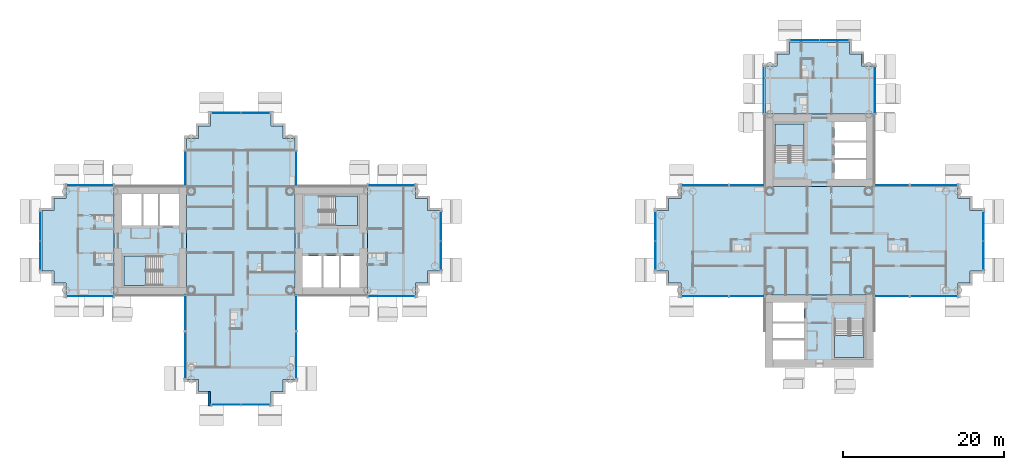
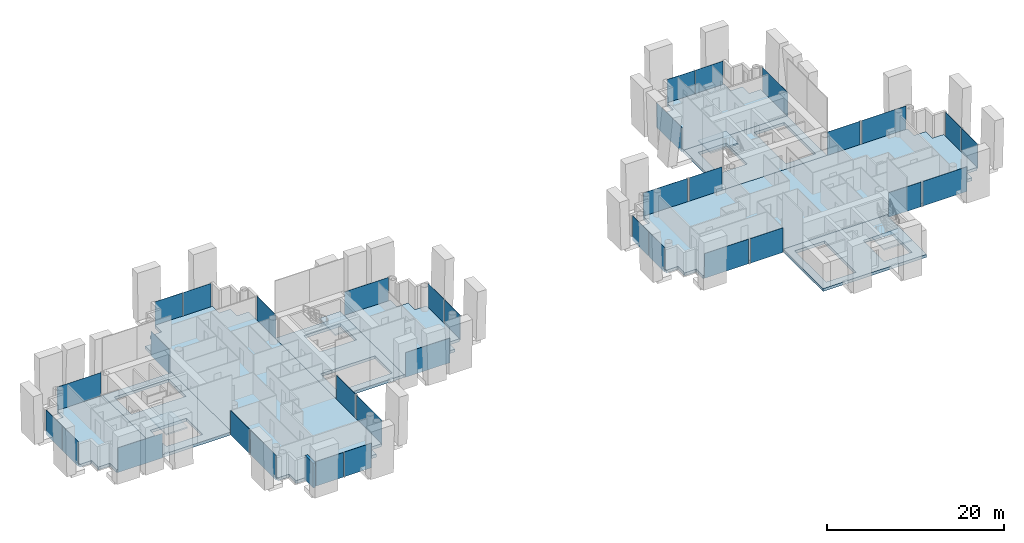
# One storey, part 7 of 20: 34 plates, 13 slabs, 1 wall, 31 elements without a shape of their own.
"""IFC4 building model written with IfcOpenShell, lengths in metres."""

from ifc_helpers import new_model, si_unit, direction, frame, frame_2d, origin, origin_2d, place, context, subcontext, project, spatial, polyline, rectangle, outline, extrude, material, layer, layer_set, type_object, element, aggregate, save


model = new_model("IFC4")

# Units and contexts
model_context = context("Model", 3, precision=1e-05, world=origin(), true_north=direction((0.0, 1.0)))
body_context = subcontext(model_context, "Body", "Model", "MODEL_VIEW")
ifc_project = project(units=[si_unit("LENGTHUNIT", "METRE"), si_unit("AREAUNIT", "SQUARE_METRE"), si_unit("VOLUMEUNIT", "CUBIC_METRE"), si_unit("PLANEANGLEUNIT", "RADIAN"), si_unit("MASSUNIT", "GRAM", prefix="KILO")], contexts=[model_context])

# Site, building, storey
site_placement = place(None, origin())
site = spatial("IfcSite", under=ifc_project, at=site_placement, CompositionType="ELEMENT")
building_placement = place(site_placement, origin())
building = spatial("IfcBuilding", under=site, at=building_placement, Name="Ipe Terrace Towers", CompositionType="ELEMENT")
storey_placement = place(building_placement, frame((0.0, 0.0, 120.800048828125)))
storey = spatial("IfcBuildingStorey", under=building, at=storey_placement, Name="L33", CompositionType="ELEMENT", Elevation=120.800048828125)

# Slabs
ifc_material_1 = material(Name="Concrete C30/37", Category="concrete")
ifc_layer_1 = layer(ifc_material_1, 0.39990234375)
ifc_layer_set_1 = layer_set([ifc_layer_1], Name="CORE FLOOR SLAB 400 C30-37")
slab_type_1 = type_object("IfcSlabType", Name="CORE FLOOR SLAB 400 C30-37", PredefinedType="FLOOR", material=ifc_layer_set_1)
slab_1_placement = place(storey_placement, frame((0.0, 0.0, -0.400146484375)))
element("IfcSlab", 1, at=slab_1_placement, inside=storey, type_object=slab_type_1, Name="Core floor T1-C1", PredefinedType="FLOOR", context=body_context, shape_type="SweptSolid", body=[
    extrude(outline(polyline([(-29.25, -6.75), (-29.25, 6.75), (-20.25, 6.75), (-20.25, -6.75), (-29.25, -6.75)]), holes=[polyline([(-28.300048828125, -5.800048828125), (-21.199951171875, -5.800048828125), (-21.199951171875, -1.89990234375), (-28.300048828125, -1.89990234375), (-28.300048828125, -5.800048828125)]), polyline([(-26.199951171875, 5.550048828125), (-26.199951171875, 1.89990234375), (-21.449951171875, 1.89990234375), (-21.449951171875, 5.550048828125), (-26.199951171875, 5.550048828125)])]), origin(), (0.0, 0.0, 1.0), 0.400146484375),
])
slab_2_placement = place(storey_placement, frame((0.0, 0.0, -0.400146484375)))
element("IfcSlab", 2, at=slab_2_placement, inside=storey, type_object=slab_type_1, Name="Core floor T1-C2", PredefinedType="FLOOR", context=body_context, shape_type="SweptSolid", body=[
    extrude(outline(polyline([(-51.75, -6.75), (-51.75, 6.75), (-42.75, 6.75), (-42.75, -6.75), (-51.75, -6.75)]), holes=[polyline([(-45.800048828125, -5.550048828125), (-45.800048828125, -1.89990234375), (-50.550048828125, -1.89990234375), (-50.550048828125, -5.550048828125), (-45.800048828125, -5.550048828125)]), polyline([(-50.800048828125, 1.89990234375), (-43.699951171875, 1.89990234375), (-43.699951171875, 5.800048828125), (-50.800048828125, 5.800048828125), (-50.800048828125, 1.89990234375)])]), origin(), (0.0, 0.0, 1.0), 0.400146484375),
])
slab_3_placement = place(storey_placement, frame((0.0, 0.0, -0.400146484375)))
element("IfcSlab", 3, at=slab_3_placement, inside=storey, type_object=slab_type_1, Name="Core floor T2-C1", PredefinedType="FLOOR", context=body_context, shape_type="SweptSolid", body=[
    extrude(outline(polyline([(29.25, 6.75), (29.25, 15.75), (42.75, 15.75), (42.75, 6.75), (29.25, 6.75)]), holes=[polyline([(41.800048828125, 7.699951171875), (41.800048828125, 14.800048828125), (37.89990234375, 14.800048828125), (37.89990234375, 7.699951171875), (41.800048828125, 7.699951171875)]), polyline([(30.449951171875, 9.800048828125), (34.10009765625, 9.800048828125), (34.10009765625, 14.550048828125), (30.449951171875, 14.550048828125), (30.449951171875, 9.800048828125)])]), origin(), (0.0, 0.0, 1.0), 0.400146484375),
])
slab_4_placement = place(storey_placement, frame((0.0, 0.0, -0.400146484375)))
element("IfcSlab", 4, at=slab_4_placement, inside=storey, type_object=slab_type_1, Name="Core floor T2-C2", PredefinedType="FLOOR", context=body_context, shape_type="SweptSolid", body=[
    extrude(outline(polyline([(29.25, -15.75), (29.25, -6.75), (42.75, -6.75), (42.75, -15.75), (29.25, -15.75)]), holes=[polyline([(34.10009765625, -14.800048828125), (34.10009765625, -7.699951171875), (30.199951171875, -7.699951171875), (30.199951171875, -14.800048828125), (34.10009765625, -14.800048828125)]), polyline([(41.550048828125, -9.800048828125), (37.89990234375, -9.800048828125), (37.89990234375, -14.550048828125), (41.550048828125, -14.550048828125), (41.550048828125, -9.800048828125)])]), origin(), (0.0, 0.0, 1.0), 0.400146484375),
])

# Stair, slab
ifc_material_2 = material(Name="Concrete C30/37", Category="concrete")
stair_type = type_object("IfcStairType", Name="Protected exit stair", PredefinedType="HALF_TURN_STAIR", material=ifc_material_2)
stair_1_placement = place(storey_placement, origin())
stair_1 = element("IfcStair", 5, at=stair_1_placement, inside=storey, type_object=stair_type, Name="L33 Exit stair T1-C1", PredefinedType="HALF_TURN_STAIR")
ifc_material_3 = material(Name="Concrete C30/37", Category="concrete")
ifc_layer_2 = layer(ifc_material_3, 0.199951171875)
ifc_layer_set_2 = layer_set([ifc_layer_2], Name="Exit stair landing 200")
slab_type_2 = type_object("IfcSlabType", Name="Exit stair landing 200", PredefinedType="LANDING", material=ifc_layer_set_2)
slab_5_placement = place(storey_placement, frame((0.0, 0.0, 1.5)))
slab_5 = element("IfcSlab", 6, at=slab_5_placement, type_object=slab_type_2, Name="T1-ST1 landing 1", PredefinedType="LANDING", context=body_context, shape_type="SweptSolid", body=[
    extrude(outline(polyline([(-24.219970703125, 1.89990234375), (-21.449951171875, 1.89990234375), (-21.449951171875, 5.550048828125), (-24.219970703125, 5.550048828125), (-24.219970703125, 1.89990234375)])), origin(), (0.0, 0.0, 1.0), 0.199951171875),
])
aggregate(stair_1, [slab_5])

stair_2_placement = place(storey_placement, origin())
stair_2 = element("IfcStair", 7, at=stair_2_placement, inside=storey, type_object=stair_type, Name="L33 Exit stair T1-C2", PredefinedType="HALF_TURN_STAIR")
slab_6_placement = place(storey_placement, frame((0.0, 0.0, 1.5)))
slab_6 = element("IfcSlab", 8, at=slab_6_placement, type_object=slab_type_2, Name="T1-ST2 landing 1", PredefinedType="LANDING", context=body_context, shape_type="SweptSolid", body=[
    extrude(outline(polyline([(-47.780029296875, -1.89990234375), (-50.550048828125, -1.89990234375), (-50.550048828125, -5.550048828125), (-47.780029296875, -5.550048828125), (-47.780029296875, -1.89990234375)])), origin(), (0.0, 0.0, 1.0), 0.199951171875),
])
aggregate(stair_2, [slab_6])

stair_3_placement = place(storey_placement, origin())
stair_3 = element("IfcStair", 9, at=stair_3_placement, inside=storey, type_object=stair_type, Name="L33 Exit stair T2-C1", PredefinedType="HALF_TURN_STAIR")
slab_7_placement = place(storey_placement, frame((0.0, 0.0, 1.5)))
slab_7 = element("IfcSlab", 10, at=slab_7_placement, type_object=slab_type_2, Name="T2-ST1 landing 1", PredefinedType="LANDING", context=body_context, shape_type="SweptSolid", body=[
    extrude(outline(polyline([(34.10009765625, 11.780029296875), (34.10009765625, 14.550048828125), (30.449951171875, 14.550048828125), (30.449951171875, 11.780029296875), (34.10009765625, 11.780029296875)])), origin(), (0.0, 0.0, 1.0), 0.199951171875),
])
aggregate(stair_3, [slab_7])

stair_4_placement = place(storey_placement, origin())
stair_4 = element("IfcStair", 11, at=stair_4_placement, inside=storey, type_object=stair_type, Name="L33 Exit stair T2-C2", PredefinedType="HALF_TURN_STAIR")
slab_8_placement = place(storey_placement, frame((0.0, 0.0, 1.5)))
slab_8 = element("IfcSlab", 12, at=slab_8_placement, type_object=slab_type_2, Name="T2-ST2 landing 1", PredefinedType="LANDING", context=body_context, shape_type="SweptSolid", body=[
    extrude(outline(polyline([(37.89990234375, -11.780029296875), (37.89990234375, -14.550048828125), (41.550048828125, -14.550048828125), (41.550048828125, -11.780029296875), (37.89990234375, -11.780029296875)])), origin(), (0.0, 0.0, 1.0), 0.199951171875),
])
aggregate(stair_4, [slab_8])

# Slabs
ifc_material_4 = material(Name="Concrete C40/50", Category="concrete")
ifc_layer_3 = layer(ifc_material_4, 0.39990234375)
ifc_layer_set_3 = layer_set([ifc_layer_3], Name="FLAT PLATE SLAB 400 C40-50")
slab_type_3 = type_object("IfcSlabType", Name="FLAT PLATE SLAB 400 C40-50", PredefinedType="FLOOR", material=ifc_layer_set_3)
slab_9_placement = place(storey_placement, frame((0.0, 0.0, -0.400146484375)))
element("IfcSlab", 13, at=slab_9_placement, inside=storey, type_object=slab_type_3, Name="Slab T1-FS-Z21", PredefinedType="FLOOR", context=body_context, shape_type="SweptSolid", body=[
    extrude(outline(polyline([(-30.75, -17.25), (-30.75, -18.75), (-32.25, -18.75), (-32.25, -20.25), (-39.75, -20.25), (-39.75, -18.75), (-41.25, -18.75), (-41.25, -17.25), (-42.75, -17.25), (-42.75, -6.75), (-42.75, 6.75), (-42.75, 12.75), (-41.25, 12.75), (-41.25, 14.25), (-39.75, 14.25), (-39.75, 15.75), (-32.25, 15.75), (-32.25, 14.25), (-30.75, 14.25), (-30.75, 12.75), (-29.25, 12.75), (-29.25, 6.75), (-29.25, -6.75), (-29.25, -17.25), (-30.75, -17.25)])), origin(), (0.0, 0.0, 1.0), 0.400146484375),
])
slab_10_placement = place(storey_placement, frame((0.0, 0.0, -0.400146484375)))
element("IfcSlab", 14, at=slab_10_placement, inside=storey, type_object=slab_type_3, Name="Slab T1-FS-Z22", PredefinedType="FLOOR", context=body_context, shape_type="SweptSolid", body=[
    extrude(outline(polyline([(-57.75, -6.75), (-57.75, -5.25), (-59.25, -5.25), (-59.25, -3.75), (-60.75, -3.75), (-60.75, 3.75), (-59.25, 3.75), (-59.25, 5.25), (-57.75, 5.25), (-57.75, 6.75), (-51.75, 6.75), (-51.75, -6.75), (-57.75, -6.75)])), origin(), (0.0, 0.0, 1.0), 0.400146484375),
])
slab_11_placement = place(storey_placement, frame((0.0, 0.0, -0.400146484375)))
element("IfcSlab", 15, at=slab_11_placement, inside=storey, type_object=slab_type_3, Name="Slab T1-FS-Z23", PredefinedType="FLOOR", context=body_context, shape_type="SweptSolid", body=[
    extrude(outline(polyline([(-14.25, 5.25), (-12.75, 5.25), (-12.75, 3.75), (-11.25, 3.75), (-11.25, -3.75), (-12.75, -3.75), (-12.75, -5.25), (-14.25, -5.25), (-14.25, -6.75), (-20.25, -6.75), (-20.25, 6.75), (-14.25, 6.75), (-14.25, 5.25)])), origin(), (0.0, 0.0, 1.0), 0.400146484375),
])
slab_12_placement = place(storey_placement, frame((0.0, 0.0, -0.400146484375)))
element("IfcSlab", 16, at=slab_12_placement, inside=storey, type_object=slab_type_3, Name="Slab T2-FS-Z21", PredefinedType="FLOOR", context=body_context, shape_type="SweptSolid", body=[
    extrude(outline(polyline([(53.25, 5.25), (54.75, 5.25), (54.75, 3.75), (56.25, 3.75), (56.25, -3.75), (54.75, -3.75), (54.75, -5.25), (53.25, -5.25), (53.25, -6.75), (42.75, -6.75), (29.25, -6.75), (18.75, -6.75), (18.75, -5.25), (17.25, -5.25), (17.25, -3.75), (15.75, -3.75), (15.75, 3.75), (17.25, 3.75), (17.25, 5.25), (18.75, 5.25), (18.75, 6.75), (29.25, 6.75), (42.75, 6.75), (53.25, 6.75), (53.25, 5.25)])), origin(), (0.0, 0.0, 1.0), 0.400146484375),
])
slab_13_placement = place(storey_placement, frame((0.0, 0.0, -0.400146484375)))
element("IfcSlab", 17, at=slab_13_placement, inside=storey, type_object=slab_type_3, Name="Slab T2-FS-Z22", PredefinedType="FLOOR", context=body_context, shape_type="SweptSolid", body=[
    extrude(outline(polyline([(30.75, 21.75), (30.75, 23.25), (32.25, 23.25), (32.25, 24.75), (39.75, 24.75), (39.75, 23.25), (41.25, 23.25), (41.25, 21.75), (42.75, 21.75), (42.75, 15.75), (29.25, 15.75), (29.25, 21.75), (30.75, 21.75)])), origin(), (0.0, 0.0, 1.0), 0.400146484375),
])

# Curtain wall, plate
ifc_material_5 = material(Name="Aluminium alloy 6063-T6", Category="aluminium")
ifc_layer_4 = layer(ifc_material_5, 0.320068359375)
ifc_layer_set_4 = layer_set([ifc_layer_4], Name="TOWER UNITISED CURTAIN WALL")
curtain_wall_type = type_object("IfcCurtainWallType", Name="TOWER UNITISED CURTAIN WALL", PredefinedType="NOTDEFINED", material=ifc_layer_set_4)
curtain_wall_1_placement = place(storey_placement, origin())
curtain_wall_1 = element("IfcCurtainWall", 18, at=curtain_wall_1_placement, inside=storey, type_object=curtain_wall_type, Name="T1-CW-L33-04a curtain wall", PredefinedType="NOTDEFINED")
ifc_material_6 = material(Name="Glass, clear laminated", Category="glass")
ifc_layer_5 = layer(ifc_material_6, 0.031982421875)
ifc_layer_set_5 = layer_set([ifc_layer_5], Name="TOWER UNITISED GLASS PANEL 32")
plate_type = type_object("IfcPlateType", Name="TOWER UNITISED GLASS PANEL 32", PredefinedType="CURTAIN_PANEL", material=ifc_layer_set_5)
plate_1_placement = place(storey_placement, frame((-54.75048828125, -6.909912109375, -0.300048828125), z_axis=(0.0, 0.0, 1.0), x_axis=(1.0, 0.0, 0.0)))
plate_1 = element("IfcPlate", 19, at=plate_1_placement, type_object=plate_type, Name="T1-CW-L33-04a panel 1", PredefinedType="CURTAIN_PANEL", context=body_context, shape_type="SweptSolid", body=[
    extrude(rectangle(XDim=5.759033203125, YDim=0.031982421875, at=origin_2d()), origin(), (0.0, 0.0, 1.0), 3.39990234375),
])
aggregate(curtain_wall_1, [plate_1])

curtain_wall_2_placement = place(storey_placement, origin())
curtain_wall_2 = element("IfcCurtainWall", 20, at=curtain_wall_2_placement, inside=storey, type_object=curtain_wall_type, Name="T1-CW-L33-06a curtain wall", PredefinedType="NOTDEFINED")
plate_2_placement = place(storey_placement, frame((-42.909912109375, -9.0, -0.300048828125), z_axis=(0.0, 0.0, 1.0), x_axis=(0.0, -1.0, 0.0)))
plate_2 = element("IfcPlate", 21, at=plate_2_placement, type_object=plate_type, Name="T1-CW-L33-06a panel 1", PredefinedType="CURTAIN_PANEL", context=body_context, shape_type="SweptSolid", body=[
    extrude(rectangle(XDim=4.260009765625, YDim=0.031982421875, at=origin_2d()), origin(), (0.0, 0.0, 1.0), 3.39990234375),
])
aggregate(curtain_wall_2, [plate_2])

curtain_wall_3_placement = place(storey_placement, origin())
curtain_wall_3 = element("IfcCurtainWall", 22, at=curtain_wall_3_placement, inside=storey, type_object=curtain_wall_type, Name="T1-CW-L33-07a curtain wall", PredefinedType="NOTDEFINED")
plate_3_placement = place(storey_placement, frame((-42.909912109375, -14.25, -0.300048828125), z_axis=(0.0, 0.0, 1.0), x_axis=(0.0, -1.0, 0.0)))
plate_3 = element("IfcPlate", 23, at=plate_3_placement, type_object=plate_type, Name="T1-CW-L33-07a panel 1", PredefinedType="CURTAIN_PANEL", context=body_context, shape_type="SweptSolid", body=[
    extrude(rectangle(XDim=5.760009765625, YDim=0.031982421875, at=origin_2d()), origin(), (0.0, 0.0, 1.0), 3.39990234375),
])
aggregate(curtain_wall_3, [plate_3])

# Curtain wall, plates
curtain_wall_4_placement = place(storey_placement, origin())
curtain_wall_4 = element("IfcCurtainWall", 24, at=curtain_wall_4_placement, inside=storey, type_object=curtain_wall_type, Name="T1-CW-L33-12a curtain wall", PredefinedType="NOTDEFINED")
plate_4_placement = place(storey_placement, frame((-37.831298828125, -20.409912109375, -0.300048828125), z_axis=(0.0, 0.0, 1.0), x_axis=(1.0, 0.0, 0.0)))
plate_4 = element("IfcPlate", 25, at=plate_4_placement, type_object=plate_type, Name="T1-CW-L33-12a panel 1", PredefinedType="CURTAIN_PANEL", context=body_context, shape_type="SweptSolid", body=[
    extrude(rectangle(XDim=3.597412109375, YDim=0.031982421875, at=origin_2d()), origin(), (0.0, 0.0, 1.0), 3.39990234375),
])
plate_5_placement = place(storey_placement, frame((-34.168701171875, -20.409912109375, -0.300048828125), z_axis=(0.0, 0.0, 1.0), x_axis=(1.0, 0.0, 0.0)))
plate_5 = element("IfcPlate", 26, at=plate_5_placement, type_object=plate_type, Name="T1-CW-L33-12a panel 2", PredefinedType="CURTAIN_PANEL", context=body_context, shape_type="SweptSolid", body=[
    extrude(rectangle(XDim=3.597412109375, YDim=0.031982421875, at=origin_2d()), origin(), (0.0, 0.0, 1.0), 3.39990234375),
])
aggregate(curtain_wall_4, [plate_4, plate_5])

# Curtain wall, plate
curtain_wall_5_placement = place(storey_placement, origin())
curtain_wall_5 = element("IfcCurtainWall", 27, at=curtain_wall_5_placement, inside=storey, type_object=curtain_wall_type, Name="T1-CW-L33-17a curtain wall", PredefinedType="NOTDEFINED")
plate_6_placement = place(storey_placement, frame((-29.090087890625, -14.25, -0.300048828125), z_axis=(0.0, 0.0, 1.0), x_axis=(0.0, 1.0, 0.0)))
plate_6 = element("IfcPlate", 28, at=plate_6_placement, type_object=plate_type, Name="T1-CW-L33-17a panel 1", PredefinedType="CURTAIN_PANEL", context=body_context, shape_type="SweptSolid", body=[
    extrude(rectangle(XDim=5.760009765625, YDim=0.031982421875, at=origin_2d()), origin(), (0.0, 0.0, 1.0), 3.39990234375),
])
aggregate(curtain_wall_5, [plate_6])

curtain_wall_6_placement = place(storey_placement, origin())
curtain_wall_6 = element("IfcCurtainWall", 29, at=curtain_wall_6_placement, inside=storey, type_object=curtain_wall_type, Name="T1-CW-L33-18a curtain wall", PredefinedType="NOTDEFINED")
plate_7_placement = place(storey_placement, frame((-29.090087890625, -9.0, -0.300048828125), z_axis=(0.0, 0.0, 1.0), x_axis=(0.0, 1.0, 0.0)))
plate_7 = element("IfcPlate", 30, at=plate_7_placement, type_object=plate_type, Name="T1-CW-L33-18a panel 1", PredefinedType="CURTAIN_PANEL", context=body_context, shape_type="SweptSolid", body=[
    extrude(rectangle(XDim=4.260009765625, YDim=0.031982421875, at=origin_2d()), origin(), (0.0, 0.0, 1.0), 3.39990234375),
])
aggregate(curtain_wall_6, [plate_7])

curtain_wall_7_placement = place(storey_placement, origin())
curtain_wall_7 = element("IfcCurtainWall", 31, at=curtain_wall_7_placement, inside=storey, type_object=curtain_wall_type, Name="T1-CW-L33-20b curtain wall", PredefinedType="NOTDEFINED")
plate_8_placement = place(storey_placement, frame((-17.24951171875, -6.909912109375, -0.300048828125), z_axis=(0.0, 0.0, 1.0), x_axis=(1.0, 0.0, 0.0)))
plate_8 = element("IfcPlate", 32, at=plate_8_placement, type_object=plate_type, Name="T1-CW-L33-20b panel 1", PredefinedType="CURTAIN_PANEL", context=body_context, shape_type="SweptSolid", body=[
    extrude(rectangle(XDim=5.759033203125, YDim=0.031982421875, at=origin_2d()), origin(), (0.0, 0.0, 1.0), 3.39990234375),
])
aggregate(curtain_wall_7, [plate_8])

# Curtain wall, plates
curtain_wall_8_placement = place(storey_placement, origin())
curtain_wall_8 = element("IfcCurtainWall", 33, at=curtain_wall_8_placement, inside=storey, type_object=curtain_wall_type, Name="T1-CW-L33-25a curtain wall", PredefinedType="NOTDEFINED")
plate_9_placement = place(storey_placement, frame((-11.090087890625, -1.831298828125, -0.300048828125), z_axis=(0.0, 0.0, 1.0), x_axis=(0.0, 1.0, 0.0)))
plate_9 = element("IfcPlate", 34, at=plate_9_placement, type_object=plate_type, Name="T1-CW-L33-25a panel 1", PredefinedType="CURTAIN_PANEL", context=body_context, shape_type="SweptSolid", body=[
    extrude(rectangle(XDim=3.597412109375, YDim=0.031982421875, at=origin_2d()), origin(), (0.0, 0.0, 1.0), 3.39990234375),
])
plate_10_placement = place(storey_placement, frame((-11.090087890625, 1.831298828125, -0.300048828125), z_axis=(0.0, 0.0, 1.0), x_axis=(0.0, 1.0, 0.0)))
plate_10 = element("IfcPlate", 35, at=plate_10_placement, type_object=plate_type, Name="T1-CW-L33-25a panel 2", PredefinedType="CURTAIN_PANEL", context=body_context, shape_type="SweptSolid", body=[
    extrude(rectangle(XDim=3.597412109375, YDim=0.031982421875, at=origin_2d()), origin(), (0.0, 0.0, 1.0), 3.39990234375),
])
aggregate(curtain_wall_8, [plate_9, plate_10])

# Curtain wall, plate
curtain_wall_9_placement = place(storey_placement, origin())
curtain_wall_9 = element("IfcCurtainWall", 36, at=curtain_wall_9_placement, inside=storey, type_object=curtain_wall_type, Name="T1-CW-L33-30a curtain wall", PredefinedType="NOTDEFINED")
plate_11_placement = place(storey_placement, frame((-17.24951171875, 6.909912109375, -0.300048828125), z_axis=(0.0, 0.0, 1.0), x_axis=(-1.0, 0.0, 0.0)))
plate_11 = element("IfcPlate", 37, at=plate_11_placement, type_object=plate_type, Name="T1-CW-L33-30a panel 1", PredefinedType="CURTAIN_PANEL", context=body_context, shape_type="SweptSolid", body=[
    extrude(rectangle(XDim=5.759033203125, YDim=0.031982421875, at=origin_2d()), origin(), (0.0, 0.0, 1.0), 3.39990234375),
])
aggregate(curtain_wall_9, [plate_11])

curtain_wall_10_placement = place(storey_placement, origin())
curtain_wall_10 = element("IfcCurtainWall", 38, at=curtain_wall_10_placement, inside=storey, type_object=curtain_wall_type, Name="T1-CW-L33-32a curtain wall", PredefinedType="NOTDEFINED")
plate_12_placement = place(storey_placement, frame((-29.090087890625, 9.0, -0.300048828125), z_axis=(0.0, 0.0, 1.0), x_axis=(0.0, 1.0, 0.0)))
plate_12 = element("IfcPlate", 39, at=plate_12_placement, type_object=plate_type, Name="T1-CW-L33-32a panel 1", PredefinedType="CURTAIN_PANEL", context=body_context, shape_type="SweptSolid", body=[
    extrude(rectangle(XDim=4.260009765625, YDim=0.031982421875, at=origin_2d()), origin(), (0.0, 0.0, 1.0), 3.39990234375),
])
aggregate(curtain_wall_10, [plate_12])

# Curtain wall, plates
curtain_wall_11_placement = place(storey_placement, origin())
curtain_wall_11 = element("IfcCurtainWall", 40, at=curtain_wall_11_placement, inside=storey, type_object=curtain_wall_type, Name="T1-CW-L33-38a curtain wall", PredefinedType="NOTDEFINED")
plate_13_placement = place(storey_placement, frame((-34.168701171875, 15.909912109375, -0.300048828125), z_axis=(0.0, 0.0, 1.0), x_axis=(-1.0, 0.0, 0.0)))
plate_13 = element("IfcPlate", 41, at=plate_13_placement, type_object=plate_type, Name="T1-CW-L33-38a panel 1", PredefinedType="CURTAIN_PANEL", context=body_context, shape_type="SweptSolid", body=[
    extrude(rectangle(XDim=3.597412109375, YDim=0.031982421875, at=origin_2d()), origin(), (0.0, 0.0, 1.0), 3.39990234375),
])
plate_14_placement = place(storey_placement, frame((-37.831298828125, 15.909912109375, -0.300048828125), z_axis=(0.0, 0.0, 1.0), x_axis=(-1.0, 0.0, 0.0)))
plate_14 = element("IfcPlate", 42, at=plate_14_placement, type_object=plate_type, Name="T1-CW-L33-38a panel 2", PredefinedType="CURTAIN_PANEL", context=body_context, shape_type="SweptSolid", body=[
    extrude(rectangle(XDim=3.597412109375, YDim=0.031982421875, at=origin_2d()), origin(), (0.0, 0.0, 1.0), 3.39990234375),
])
aggregate(curtain_wall_11, [plate_13, plate_14])

# Curtain wall, plate
curtain_wall_12_placement = place(storey_placement, origin())
curtain_wall_12 = element("IfcCurtainWall", 43, at=curtain_wall_12_placement, inside=storey, type_object=curtain_wall_type, Name="T1-CW-L33-44a curtain wall", PredefinedType="NOTDEFINED")
plate_15_placement = place(storey_placement, frame((-42.909912109375, 9.0, -0.300048828125), z_axis=(0.0, 0.0, 1.0), x_axis=(0.0, -1.0, 0.0)))
plate_15 = element("IfcPlate", 44, at=plate_15_placement, type_object=plate_type, Name="T1-CW-L33-44a panel 1", PredefinedType="CURTAIN_PANEL", context=body_context, shape_type="SweptSolid", body=[
    extrude(rectangle(XDim=4.260009765625, YDim=0.031982421875, at=origin_2d()), origin(), (0.0, 0.0, 1.0), 3.39990234375),
])
aggregate(curtain_wall_12, [plate_15])

curtain_wall_13_placement = place(storey_placement, origin())
curtain_wall_13 = element("IfcCurtainWall", 45, at=curtain_wall_13_placement, inside=storey, type_object=curtain_wall_type, Name="T1-CW-L33-46b curtain wall", PredefinedType="NOTDEFINED")
plate_16_placement = place(storey_placement, frame((-54.75048828125, 6.909912109375, -0.300048828125), z_axis=(0.0, 0.0, 1.0), x_axis=(-1.0, 0.0, 0.0)))
plate_16 = element("IfcPlate", 46, at=plate_16_placement, type_object=plate_type, Name="T1-CW-L33-46b panel 1", PredefinedType="CURTAIN_PANEL", context=body_context, shape_type="SweptSolid", body=[
    extrude(rectangle(XDim=5.759033203125, YDim=0.031982421875, at=origin_2d()), origin(), (0.0, 0.0, 1.0), 3.39990234375),
])
aggregate(curtain_wall_13, [plate_16])

# Curtain wall, plates
curtain_wall_14_placement = place(storey_placement, origin())
curtain_wall_14 = element("IfcCurtainWall", 47, at=curtain_wall_14_placement, inside=storey, type_object=curtain_wall_type, Name="T1-CW-L33-51a curtain wall", PredefinedType="NOTDEFINED")
plate_17_placement = place(storey_placement, frame((-60.909912109375, 1.831298828125, -0.300048828125), z_axis=(0.0, 0.0, 1.0), x_axis=(0.0, -1.0, 0.0)))
plate_17 = element("IfcPlate", 48, at=plate_17_placement, type_object=plate_type, Name="T1-CW-L33-51a panel 1", PredefinedType="CURTAIN_PANEL", context=body_context, shape_type="SweptSolid", body=[
    extrude(rectangle(XDim=3.597412109375, YDim=0.031982421875, at=origin_2d()), origin(), (0.0, 0.0, 1.0), 3.39990234375),
])
plate_18_placement = place(storey_placement, frame((-60.909912109375, -1.831298828125, -0.300048828125), z_axis=(0.0, 0.0, 1.0), x_axis=(0.0, -1.0, 0.0)))
plate_18 = element("IfcPlate", 49, at=plate_18_placement, type_object=plate_type, Name="T1-CW-L33-51a panel 2", PredefinedType="CURTAIN_PANEL", context=body_context, shape_type="SweptSolid", body=[
    extrude(rectangle(XDim=3.597412109375, YDim=0.031982421875, at=origin_2d()), origin(), (0.0, 0.0, 1.0), 3.39990234375),
])
aggregate(curtain_wall_14, [plate_17, plate_18])

# Curtain wall, plate
curtain_wall_15_placement = place(storey_placement, origin())
curtain_wall_15 = element("IfcCurtainWall", 50, at=curtain_wall_15_placement, inside=storey, type_object=curtain_wall_type, Name="T2-CW-L33-02a curtain wall", PredefinedType="NOTDEFINED")
plate_19_placement = place(storey_placement, frame((45.0, -6.909912109375, -0.300048828125), z_axis=(0.0, 0.0, 1.0), x_axis=(1.0, 0.0, 0.0)))
plate_19 = element("IfcPlate", 51, at=plate_19_placement, type_object=plate_type, Name="T2-CW-L33-02a panel 1", PredefinedType="CURTAIN_PANEL", context=body_context, shape_type="SweptSolid", body=[
    extrude(rectangle(XDim=4.260009765625, YDim=0.031982421875, at=origin_2d()), origin(), (0.0, 0.0, 1.0), 3.39990234375),
])
aggregate(curtain_wall_15, [plate_19])

curtain_wall_16_placement = place(storey_placement, origin())
curtain_wall_16 = element("IfcCurtainWall", 52, at=curtain_wall_16_placement, inside=storey, type_object=curtain_wall_type, Name="T2-CW-L33-03a curtain wall", PredefinedType="NOTDEFINED")
plate_20_placement = place(storey_placement, frame((50.25, -6.909912109375, -0.300048828125), z_axis=(0.0, 0.0, 1.0), x_axis=(1.0, 0.0, 0.0)))
plate_20 = element("IfcPlate", 53, at=plate_20_placement, type_object=plate_type, Name="T2-CW-L33-03a panel 1", PredefinedType="CURTAIN_PANEL", context=body_context, shape_type="SweptSolid", body=[
    extrude(rectangle(XDim=5.760009765625, YDim=0.031982421875, at=origin_2d()), origin(), (0.0, 0.0, 1.0), 3.39990234375),
])
aggregate(curtain_wall_16, [plate_20])

# Curtain wall, plates
curtain_wall_17_placement = place(storey_placement, origin())
curtain_wall_17 = element("IfcCurtainWall", 54, at=curtain_wall_17_placement, inside=storey, type_object=curtain_wall_type, Name="T2-CW-L33-08a curtain wall", PredefinedType="NOTDEFINED")
plate_21_placement = place(storey_placement, frame((56.409912109375, -1.831298828125, -0.300048828125), z_axis=(0.0, 0.0, 1.0), x_axis=(0.0, 1.0, 0.0)))
plate_21 = element("IfcPlate", 55, at=plate_21_placement, type_object=plate_type, Name="T2-CW-L33-08a panel 1", PredefinedType="CURTAIN_PANEL", context=body_context, shape_type="SweptSolid", body=[
    extrude(rectangle(XDim=3.597412109375, YDim=0.031982421875, at=origin_2d()), origin(), (0.0, 0.0, 1.0), 3.39990234375),
])
plate_22_placement = place(storey_placement, frame((56.409912109375, 1.831298828125, -0.300048828125), z_axis=(0.0, 0.0, 1.0), x_axis=(0.0, 1.0, 0.0)))
plate_22 = element("IfcPlate", 56, at=plate_22_placement, type_object=plate_type, Name="T2-CW-L33-08a panel 2", PredefinedType="CURTAIN_PANEL", context=body_context, shape_type="SweptSolid", body=[
    extrude(rectangle(XDim=3.597412109375, YDim=0.031982421875, at=origin_2d()), origin(), (0.0, 0.0, 1.0), 3.39990234375),
])
aggregate(curtain_wall_17, [plate_21, plate_22])

# Curtain wall, plate
curtain_wall_18_placement = place(storey_placement, origin())
curtain_wall_18 = element("IfcCurtainWall", 57, at=curtain_wall_18_placement, inside=storey, type_object=curtain_wall_type, Name="T2-CW-L33-13a curtain wall", PredefinedType="NOTDEFINED")
plate_23_placement = place(storey_placement, frame((50.25, 6.909912109375, -0.300048828125), z_axis=(0.0, 0.0, 1.0), x_axis=(-1.0, 0.0, 0.0)))
plate_23 = element("IfcPlate", 58, at=plate_23_placement, type_object=plate_type, Name="T2-CW-L33-13a panel 1", PredefinedType="CURTAIN_PANEL", context=body_context, shape_type="SweptSolid", body=[
    extrude(rectangle(XDim=5.760009765625, YDim=0.031982421875, at=origin_2d()), origin(), (0.0, 0.0, 1.0), 3.39990234375),
])
aggregate(curtain_wall_18, [plate_23])

curtain_wall_19_placement = place(storey_placement, origin())
curtain_wall_19 = element("IfcCurtainWall", 59, at=curtain_wall_19_placement, inside=storey, type_object=curtain_wall_type, Name="T2-CW-L33-14a curtain wall", PredefinedType="NOTDEFINED")
plate_24_placement = place(storey_placement, frame((45.0, 6.909912109375, -0.300048828125), z_axis=(0.0, 0.0, 1.0), x_axis=(-1.0, 0.0, 0.0)))
plate_24 = element("IfcPlate", 60, at=plate_24_placement, type_object=plate_type, Name="T2-CW-L33-14a panel 1", PredefinedType="CURTAIN_PANEL", context=body_context, shape_type="SweptSolid", body=[
    extrude(rectangle(XDim=4.260009765625, YDim=0.031982421875, at=origin_2d()), origin(), (0.0, 0.0, 1.0), 3.39990234375),
])
aggregate(curtain_wall_19, [plate_24])

curtain_wall_20_placement = place(storey_placement, origin())
curtain_wall_20 = element("IfcCurtainWall", 61, at=curtain_wall_20_placement, inside=storey, type_object=curtain_wall_type, Name="T2-CW-L33-16b curtain wall", PredefinedType="NOTDEFINED")
plate_25_placement = place(storey_placement, frame((42.909912109375, 18.75048828125, -0.300048828125), z_axis=(0.0, 0.0, 1.0), x_axis=(0.0, 1.0, 0.0)))
plate_25 = element("IfcPlate", 62, at=plate_25_placement, type_object=plate_type, Name="T2-CW-L33-16b panel 1", PredefinedType="CURTAIN_PANEL", context=body_context, shape_type="SweptSolid", body=[
    extrude(rectangle(XDim=5.759033203125, YDim=0.031982421875, at=origin_2d()), origin(), (0.0, 0.0, 1.0), 3.39990234375),
])
aggregate(curtain_wall_20, [plate_25])

# Curtain wall, plates
curtain_wall_21_placement = place(storey_placement, origin())
curtain_wall_21 = element("IfcCurtainWall", 63, at=curtain_wall_21_placement, inside=storey, type_object=curtain_wall_type, Name="T2-CW-L33-21a curtain wall", PredefinedType="NOTDEFINED")
plate_26_placement = place(storey_placement, frame((37.831298828125, 24.909912109375, -0.300048828125), z_axis=(0.0, 0.0, 1.0), x_axis=(-1.0, 0.0, 0.0)))
plate_26 = element("IfcPlate", 64, at=plate_26_placement, type_object=plate_type, Name="T2-CW-L33-21a panel 1", PredefinedType="CURTAIN_PANEL", context=body_context, shape_type="SweptSolid", body=[
    extrude(rectangle(XDim=3.597412109375, YDim=0.031982421875, at=origin_2d()), origin(), (0.0, 0.0, 1.0), 3.39990234375),
])
plate_27_placement = place(storey_placement, frame((34.168701171875, 24.909912109375, -0.300048828125), z_axis=(0.0, 0.0, 1.0), x_axis=(-1.0, 0.0, 0.0)))
plate_27 = element("IfcPlate", 65, at=plate_27_placement, type_object=plate_type, Name="T2-CW-L33-21a panel 2", PredefinedType="CURTAIN_PANEL", context=body_context, shape_type="SweptSolid", body=[
    extrude(rectangle(XDim=3.597412109375, YDim=0.031982421875, at=origin_2d()), origin(), (0.0, 0.0, 1.0), 3.39990234375),
])
aggregate(curtain_wall_21, [plate_26, plate_27])

# Curtain wall, plate
curtain_wall_22_placement = place(storey_placement, origin())
curtain_wall_22 = element("IfcCurtainWall", 66, at=curtain_wall_22_placement, inside=storey, type_object=curtain_wall_type, Name="T2-CW-L33-26a curtain wall", PredefinedType="NOTDEFINED")
plate_28_placement = place(storey_placement, frame((29.090087890625, 18.75048828125, -0.300048828125), z_axis=(0.0, 0.0, 1.0), x_axis=(0.0, -1.0, 0.0)))
plate_28 = element("IfcPlate", 67, at=plate_28_placement, type_object=plate_type, Name="T2-CW-L33-26a panel 1", PredefinedType="CURTAIN_PANEL", context=body_context, shape_type="SweptSolid", body=[
    extrude(rectangle(XDim=5.759033203125, YDim=0.031982421875, at=origin_2d()), origin(), (0.0, 0.0, 1.0), 3.39990234375),
])
aggregate(curtain_wall_22, [plate_28])

curtain_wall_23_placement = place(storey_placement, origin())
curtain_wall_23 = element("IfcCurtainWall", 68, at=curtain_wall_23_placement, inside=storey, type_object=curtain_wall_type, Name="T2-CW-L33-28a curtain wall", PredefinedType="NOTDEFINED")
plate_29_placement = place(storey_placement, frame((27.0, 6.909912109375, -0.300048828125), z_axis=(0.0, 0.0, 1.0), x_axis=(-1.0, 0.0, 0.0)))
plate_29 = element("IfcPlate", 69, at=plate_29_placement, type_object=plate_type, Name="T2-CW-L33-28a panel 1", PredefinedType="CURTAIN_PANEL", context=body_context, shape_type="SweptSolid", body=[
    extrude(rectangle(XDim=4.260009765625, YDim=0.031982421875, at=origin_2d()), origin(), (0.0, 0.0, 1.0), 3.39990234375),
])
aggregate(curtain_wall_23, [plate_29])

curtain_wall_24_placement = place(storey_placement, origin())
curtain_wall_24 = element("IfcCurtainWall", 70, at=curtain_wall_24_placement, inside=storey, type_object=curtain_wall_type, Name="T2-CW-L33-29a curtain wall", PredefinedType="NOTDEFINED")
plate_30_placement = place(storey_placement, frame((21.75, 6.909912109375, -0.300048828125), z_axis=(0.0, 0.0, 1.0), x_axis=(-1.0, 0.0, 0.0)))
plate_30 = element("IfcPlate", 71, at=plate_30_placement, type_object=plate_type, Name="T2-CW-L33-29a panel 1", PredefinedType="CURTAIN_PANEL", context=body_context, shape_type="SweptSolid", body=[
    extrude(rectangle(XDim=5.760009765625, YDim=0.031982421875, at=origin_2d()), origin(), (0.0, 0.0, 1.0), 3.39990234375),
])
aggregate(curtain_wall_24, [plate_30])

# Curtain wall, plates
curtain_wall_25_placement = place(storey_placement, origin())
curtain_wall_25 = element("IfcCurtainWall", 72, at=curtain_wall_25_placement, inside=storey, type_object=curtain_wall_type, Name="T2-CW-L33-34a curtain wall", PredefinedType="NOTDEFINED")
plate_31_placement = place(storey_placement, frame((15.590087890625, 1.831298828125, -0.300048828125), z_axis=(0.0, 0.0, 1.0), x_axis=(0.0, -1.0, 0.0)))
plate_31 = element("IfcPlate", 73, at=plate_31_placement, type_object=plate_type, Name="T2-CW-L33-34a panel 1", PredefinedType="CURTAIN_PANEL", context=body_context, shape_type="SweptSolid", body=[
    extrude(rectangle(XDim=3.597412109375, YDim=0.031982421875, at=origin_2d()), origin(), (0.0, 0.0, 1.0), 3.39990234375),
])
plate_32_placement = place(storey_placement, frame((15.590087890625, -1.831298828125, -0.300048828125), z_axis=(0.0, 0.0, 1.0), x_axis=(0.0, -1.0, 0.0)))
plate_32 = element("IfcPlate", 74, at=plate_32_placement, type_object=plate_type, Name="T2-CW-L33-34a panel 2", PredefinedType="CURTAIN_PANEL", context=body_context, shape_type="SweptSolid", body=[
    extrude(rectangle(XDim=3.597412109375, YDim=0.031982421875, at=origin_2d()), origin(), (0.0, 0.0, 1.0), 3.39990234375),
])
aggregate(curtain_wall_25, [plate_31, plate_32])

# Curtain wall, plate
curtain_wall_26_placement = place(storey_placement, origin())
curtain_wall_26 = element("IfcCurtainWall", 75, at=curtain_wall_26_placement, inside=storey, type_object=curtain_wall_type, Name="T2-CW-L33-39a curtain wall", PredefinedType="NOTDEFINED")
plate_33_placement = place(storey_placement, frame((21.75, -6.909912109375, -0.300048828125), z_axis=(0.0, 0.0, 1.0), x_axis=(1.0, 0.0, 0.0)))
plate_33 = element("IfcPlate", 76, at=plate_33_placement, type_object=plate_type, Name="T2-CW-L33-39a panel 1", PredefinedType="CURTAIN_PANEL", context=body_context, shape_type="SweptSolid", body=[
    extrude(rectangle(XDim=5.760009765625, YDim=0.031982421875, at=origin_2d()), origin(), (0.0, 0.0, 1.0), 3.39990234375),
])
aggregate(curtain_wall_26, [plate_33])

curtain_wall_27_placement = place(storey_placement, origin())
curtain_wall_27 = element("IfcCurtainWall", 77, at=curtain_wall_27_placement, inside=storey, type_object=curtain_wall_type, Name="T2-CW-L33-40a curtain wall", PredefinedType="NOTDEFINED")
plate_34_placement = place(storey_placement, frame((27.0, -6.909912109375, -0.300048828125), z_axis=(0.0, 0.0, 1.0), x_axis=(1.0, 0.0, 0.0)))
plate_34 = element("IfcPlate", 78, at=plate_34_placement, type_object=plate_type, Name="T2-CW-L33-40a panel 1", PredefinedType="CURTAIN_PANEL", context=body_context, shape_type="SweptSolid", body=[
    extrude(rectangle(XDim=4.260009765625, YDim=0.031982421875, at=origin_2d()), origin(), (0.0, 0.0, 1.0), 3.39990234375),
])
aggregate(curtain_wall_27, [plate_34])

# Wall
ifc_material_7 = material(Name="Concrete C40/50 with buff precast cladding", Category="concrete")
ifc_layer_6 = layer(ifc_material_7, 0.320068359375)
ifc_layer_set_6 = layer_set([ifc_layer_6], Name="BUFF CLADDING WALL 320")
wall_type = type_object("IfcWallType", Name="BUFF CLADDING WALL 320", PredefinedType="STANDARD", material=ifc_layer_set_6)
wall_placement = place(storey_placement, frame((-39.909912109375, -18.75, -0.300048828125), z_axis=(0.0, 0.0, 1.0), x_axis=(0.0, -1.0, 0.0)))
element("IfcWall", 79, at=wall_placement, inside=storey, type_object=wall_type, Name="T1-W-L33-11a wall", PredefinedType="STANDARD", context=body_context, shape_type="SweptSolid", body=[
    extrude(rectangle(XDim=1.820068359375, YDim=0.320068359375, at=frame_2d((0.91015625, 0.0))), origin(), (0.0, 0.0, 1.0), 3.39990234375),
])

save(model, "model.ifc")
